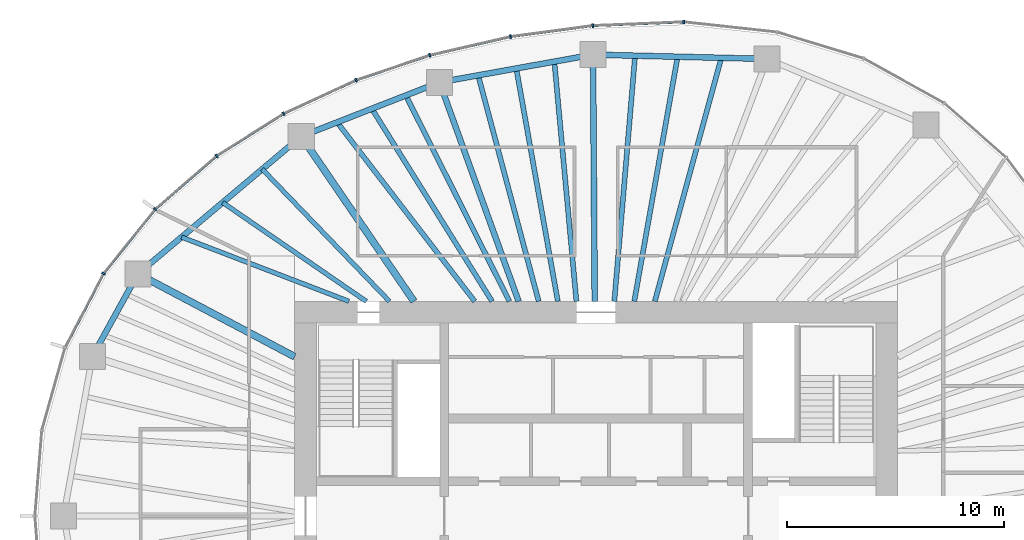
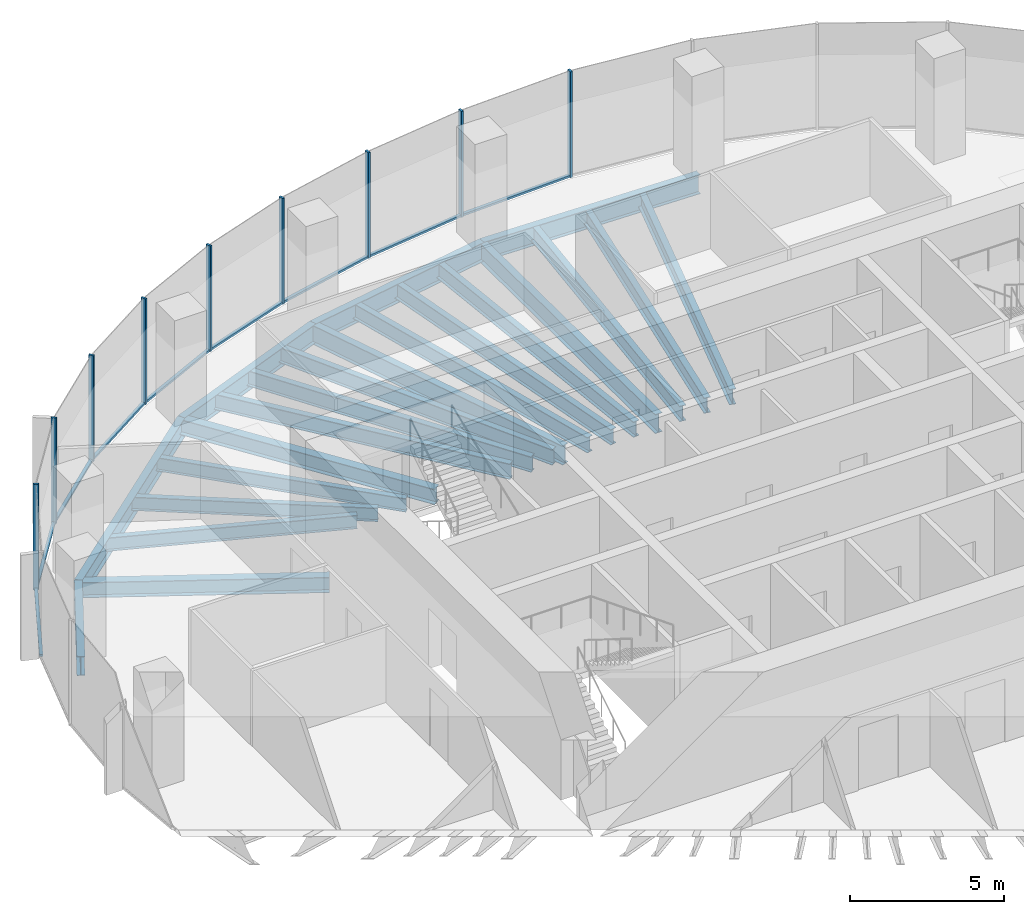
# One storey, part 5 of 11: 21 beams, 18 members, 5 elements without a shape of their own.
"""IFC4 building model written with IfcOpenShell, lengths in metres."""

from ifc_helpers import new_model, si_unit, direction, frame, origin, origin_2d, place, context, subcontext, project, spatial, rectangle, i_section, extrude, material, material_profile, profile_set, type_object, element, aggregate, save


model = new_model("IFC4")

# Units and contexts
model_context = context("Model", 3, precision=1e-05, world=origin(), true_north=direction((0.0, 1.0)))
body_context = subcontext(model_context, "Body", "Model", "MODEL_VIEW")
ifc_project = project(units=[si_unit("LENGTHUNIT", "METRE"), si_unit("AREAUNIT", "SQUARE_METRE"), si_unit("VOLUMEUNIT", "CUBIC_METRE"), si_unit("PLANEANGLEUNIT", "RADIAN"), si_unit("MASSUNIT", "GRAM", prefix="KILO")], contexts=[model_context])

# Site, building, storey
site_placement = place(None, origin())
site = spatial("IfcSite", under=ifc_project, at=site_placement, CompositionType="ELEMENT")
building_placement = place(site_placement, origin())
building = spatial("IfcBuilding", under=site, at=building_placement, Name="Ghaith Harvest Tower", CompositionType="ELEMENT")
storey_placement = place(building_placement, frame((0.0, 0.0, 275.39990234375)))
storey = spatial("IfcBuildingStorey", under=building, at=storey_placement, Name="L61", CompositionType="ELEMENT", Elevation=275.39990234375)

# Curtain wall, member
ifc_material_1 = material(Name="Black anodised aluminium and fritted glass", Category="aluminium")
curtain_wall_type = type_object("IfcCurtainWallType", Name="CW-T CURTAIN WALL", PredefinedType="NOTDEFINED", material=ifc_material_1)
curtain_wall_1_placement = place(storey_placement, origin())
curtain_wall_1 = element("IfcCurtainWall", 1, at=curtain_wall_1_placement, inside=storey, type_object=curtain_wall_type, Name="Curtain wall CW-T bay 05 L61", PredefinedType="NOTDEFINED")
ifc_material_2 = material(Name="Aluminium, black anodised", Category="aluminium")
ifc_material_profile_1 = material_profile(ifc_material_2, rectangle(XDim=0.080078125, YDim=0.179931640625, at=origin_2d()), Name="CW-T MULLION 80x180")
ifc_profile_set_1 = profile_set([ifc_material_profile_1], Name="Aluminium, black anodised")
member_type_1 = type_object("IfcMemberType", Name="CW-T MULLION 80x180", PredefinedType="MULLION", material=ifc_profile_set_1)
member_1_placement = place(storey_placement, frame((4.037841796875, 22.776611328125, 0.0), z_axis=(0.0, 0.0, 1.0), x_axis=(-0.999388631236, 0.034962319079, 0.0)))
member_1 = element("IfcMember", 2, at=member_1_placement, type_object=member_type_1, Name="CW-T mullion 2 bay 05 L61", PredefinedType="MULLION", context=body_context, shape_type="SweptSolid", body=[
    extrude(rectangle(XDim=0.080078125, YDim=0.179931640625, at=origin_2d()), origin(), (0.0, 0.0, 1.0), 4.2001953125),
])

# Curtain wall, members
curtain_wall_2_placement = place(storey_placement, origin())
curtain_wall_2 = element("IfcCurtainWall", 3, at=curtain_wall_2_placement, inside=storey, type_object=curtain_wall_type, Name="Curtain wall CW-T bay 06 L61", PredefinedType="NOTDEFINED")
member_2_placement = place(storey_placement, frame((-0.15478515625, 22.60595703125, 0.0), z_axis=(0.0, 0.0, 1.0), x_axis=(-0.996414855482, -0.084601629853, 0.0)))
member_2 = element("IfcMember", 4, at=member_2_placement, type_object=member_type_1, Name="CW-T mullion 1 bay 06 L61", PredefinedType="MULLION", context=body_context, shape_type="SweptSolid", body=[
    extrude(rectangle(XDim=0.080078125, YDim=0.179931640625, at=origin_2d()), origin(), (0.0, 0.0, 1.0), 4.2001953125),
])
member_3_placement = place(storey_placement, frame((-3.946533203125, 22.0986328125, 0.0), z_axis=(0.0, 0.0, 1.0), x_axis=(-0.983843447681, -0.179030920389, 0.0)))
member_3 = element("IfcMember", 5, at=member_3_placement, type_object=member_type_1, Name="CW-T mullion 2 bay 06 L61", PredefinedType="MULLION", context=body_context, shape_type="SweptSolid", body=[
    extrude(rectangle(XDim=0.080078125, YDim=0.179931640625, at=origin_2d()), origin(), (0.0, 0.0, 1.0), 4.2001953125),
])

curtain_wall_3_placement = place(storey_placement, origin())
curtain_wall_3 = element("IfcCurtainWall", 6, at=curtain_wall_3_placement, inside=storey, type_object=curtain_wall_type, Name="Curtain wall CW-T bay 07 L61", PredefinedType="NOTDEFINED")
member_4_placement = place(storey_placement, frame((-7.6708984375, 21.23828125, 0.0), z_axis=(0.0, 0.0, 1.0), x_axis=(-0.962552491436, -0.27109537294, 0.0)))
member_4 = element("IfcMember", 7, at=member_4_placement, type_object=member_type_1, Name="CW-T mullion 1 bay 07 L61", PredefinedType="MULLION", context=body_context, shape_type="SweptSolid", body=[
    extrude(rectangle(XDim=0.080078125, YDim=0.179931640625, at=origin_2d()), origin(), (0.0, 0.0, 1.0), 4.2001953125),
])
member_5_placement = place(storey_placement, frame((-11.0673828125, 20.093017578125, 0.0), z_axis=(0.0, 0.0, 1.0), x_axis=(-0.928624420706, -0.371021138573, 0.0)))
member_5 = element("IfcMember", 8, at=member_5_placement, type_object=member_type_1, Name="CW-T mullion 2 bay 07 L61", PredefinedType="MULLION", context=body_context, shape_type="SweptSolid", body=[
    extrude(rectangle(XDim=0.080078125, YDim=0.179931640625, at=origin_2d()), origin(), (0.0, 0.0, 1.0), 4.2001953125),
])

curtain_wall_4_placement = place(storey_placement, origin())
curtain_wall_4 = element("IfcCurtainWall", 9, at=curtain_wall_4_placement, inside=storey, type_object=curtain_wall_type, Name="Curtain wall CW-T bay 08 L61", PredefinedType="NOTDEFINED")
member_6_placement = place(storey_placement, frame((-14.40478515625, 18.5478515625, 0.0), z_axis=(0.0, 0.0, 1.0), x_axis=(-0.87867173244, -0.477426420101, 0.0)))
member_6 = element("IfcMember", 10, at=member_6_placement, type_object=member_type_1, Name="CW-T mullion 1 bay 08 L61", PredefinedType="MULLION", context=body_context, shape_type="SweptSolid", body=[
    extrude(rectangle(XDim=0.080078125, YDim=0.179931640625, at=origin_2d()), origin(), (0.0, 0.0, 1.0), 4.2001953125),
])
member_7_placement = place(storey_placement, frame((-17.49462890625, 16.600830078125, 0.0), z_axis=(0.0, 0.0, 1.0), x_axis=(-0.802189888678, -0.597068993084, 0.0)))
member_7 = element("IfcMember", 11, at=member_7_placement, type_object=member_type_1, Name="CW-T mullion 2 bay 08 L61", PredefinedType="MULLION", context=body_context, shape_type="SweptSolid", body=[
    extrude(rectangle(XDim=0.080078125, YDim=0.179931640625, at=origin_2d()), origin(), (0.0, 0.0, 1.0), 4.2001953125),
])

curtain_wall_5_placement = place(storey_placement, origin())
curtain_wall_5 = element("IfcCurtainWall", 12, at=curtain_wall_5_placement, inside=storey, type_object=curtain_wall_type, Name="Curtain wall CW-T bay 09 L61", PredefinedType="NOTDEFINED")
member_8_placement = place(storey_placement, frame((-20.324462890625, 14.141845703125, 0.0), z_axis=(0.0, 0.0, 1.0), x_axis=(-0.692826491995, -0.72110432809, 0.0)))
member_8 = element("IfcMember", 13, at=member_8_placement, type_object=member_type_1, Name="CW-T mullion 1 bay 09 L61", PredefinedType="MULLION", context=body_context, shape_type="SweptSolid", body=[
    extrude(rectangle(XDim=0.080078125, YDim=0.179931640625, at=origin_2d()), origin(), (0.0, 0.0, 1.0), 4.2001953125),
])
member_9_placement = place(storey_placement, frame((-22.706298828125, 11.176513671875, 0.0), z_axis=(0.0, 0.0, 1.0), x_axis=(-0.545865412621, -0.837872872997, 0.0)))
member_9 = element("IfcMember", 14, at=member_9_placement, type_object=member_type_1, Name="CW-T mullion 2 bay 09 L61", PredefinedType="MULLION", context=body_context, shape_type="SweptSolid", body=[
    extrude(rectangle(XDim=0.080078125, YDim=0.179931640625, at=origin_2d()), origin(), (0.0, 0.0, 1.0), 4.2001953125),
])

# Member
ifc_material_3 = material(Name="Aluminium, black anodised", Category="aluminium")
ifc_material_profile_2 = material_profile(ifc_material_3, rectangle(XDim=0.1201171875, YDim=0.080078125, at=origin_2d()), Name="CW-T TRANSOM 120x80")
ifc_profile_set_2 = profile_set([ifc_material_profile_2], Name="Aluminium, black anodised")
member_type_2 = type_object("IfcMemberType", Name="CW-T TRANSOM 120x80", PredefinedType="USERDEFINED", material=ifc_profile_set_2)
member_10_placement = place(storey_placement, frame((3.997802734375, 22.77490234375, 0.0400390625), z_axis=(-0.999174207562, -0.040631304968, 0.0), x_axis=(0.040631304968, -0.999174207562, 0.0)))
member_10 = element("IfcMember", 15, at=member_10_placement, type_object=member_type_2, Name="CW-T transom 2 bay 05 L61", ObjectType="TRANSOM", PredefinedType="USERDEFINED", context=body_context, shape_type="SweptSolid", body=[
    extrude(rectangle(XDim=0.1201171875, YDim=0.080078125, at=origin_2d()), origin(), (0.0, 0.0, 1.0), 4.115966796875),
])

aggregate(curtain_wall_1, [member_1, member_10])

member_11_placement = place(storey_placement, frame((-0.1943359375, 22.6005859375, 0.0400390625), z_axis=(-0.99117202259, -0.132582131655, 0.0), x_axis=(0.132582131655, -0.99117202259, 0.0)))
member_11 = element("IfcMember", 16, at=member_11_placement, type_object=member_type_2, Name="CW-T transom 1 bay 06 L61", ObjectType="TRANSOM", PredefinedType="USERDEFINED", context=body_context, shape_type="SweptSolid", body=[
    extrude(rectangle(XDim=0.1201171875, YDim=0.080078125, at=origin_2d()), origin(), (0.0, 0.0, 1.0), 3.745361328125),
])

member_12_placement = place(storey_placement, frame((-3.9853515625, 22.089599609375, 0.0400390625), z_axis=(-0.974344997799, -0.225059603803, 0.0), x_axis=(0.225059603803, -0.974344997799, 0.0)))
member_12 = element("IfcMember", 17, at=member_12_placement, type_object=member_type_2, Name="CW-T transom 2 bay 06 L61", ObjectType="TRANSOM", PredefinedType="USERDEFINED", context=body_context, shape_type="SweptSolid", body=[
    extrude(rectangle(XDim=0.1201171875, YDim=0.080078125, at=origin_2d()), origin(), (0.0, 0.0, 1.0), 3.742431640625),
])

aggregate(curtain_wall_2, [member_2, member_11, member_3, member_12])

member_13_placement = place(storey_placement, frame((-7.708740234375, 21.2255859375, 0.0400390625), z_axis=(-0.9475698206, -0.319548799228, 0.0), x_axis=(0.319548799228, -0.9475698206, 0.0)))
member_13 = element("IfcMember", 18, at=member_13_placement, type_object=member_type_2, Name="CW-T transom 1 bay 07 L61", ObjectType="TRANSOM", PredefinedType="USERDEFINED", context=body_context, shape_type="SweptSolid", body=[
    extrude(rectangle(XDim=0.1201171875, YDim=0.080078125, at=origin_2d()), origin(), (0.0, 0.0, 1.0), 3.504638671875),
])

member_14_placement = place(storey_placement, frame((-11.103759765625, 20.076171875, 0.0400390625), z_axis=(-0.907472177056, -0.420112184862, 0.0), x_axis=(0.420112184862, -0.907472177056, 0.0)))
member_14 = element("IfcMember", 19, at=member_14_placement, type_object=member_type_2, Name="CW-T transom 2 bay 07 L61", ObjectType="TRANSOM", PredefinedType="USERDEFINED", context=body_context, shape_type="SweptSolid", body=[
    extrude(rectangle(XDim=0.1201171875, YDim=0.080078125, at=origin_2d()), origin(), (0.0, 0.0, 1.0), 3.597900390625),
])

aggregate(curtain_wall_3, [member_4, member_13, member_5, member_14])

member_15_placement = place(storey_placement, frame((-14.438720703125, 18.5263671875, 0.0400390625), z_axis=(-0.846053602505, -0.533097835006, 0.0), x_axis=(0.533097835006, -0.846053602505, 0.0)))
member_15 = element("IfcMember", 20, at=member_15_placement, type_object=member_type_2, Name="CW-T transom 1 bay 08 L61", ObjectType="TRANSOM", PredefinedType="USERDEFINED", context=body_context, shape_type="SweptSolid", body=[
    extrude(rectangle(XDim=0.1201171875, YDim=0.080078125, at=origin_2d()), origin(), (0.0, 0.0, 1.0), 3.572021484375),
])

member_16_placement = place(storey_placement, frame((-17.52490234375, 16.574462890625, 0.0400390625), z_axis=(-0.754851889287, -0.65589528527, 0.0), x_axis=(0.65589528527, -0.754851889287, 0.0)))
member_16 = element("IfcMember", 21, at=member_16_placement, type_object=member_type_2, Name="CW-T transom 2 bay 08 L61", ObjectType="TRANSOM", PredefinedType="USERDEFINED", context=body_context, shape_type="SweptSolid", body=[
    extrude(rectangle(XDim=0.1201171875, YDim=0.080078125, at=origin_2d()), origin(), (0.0, 0.0, 1.0), 3.668701171875),
])

aggregate(curtain_wall_4, [member_6, member_15, member_7, member_16])

member_17_placement = place(storey_placement, frame((-20.349365234375, 14.110595703125, 0.0400390625), z_axis=(-0.626253073761, -0.779619835307, 0.0), x_axis=(0.779619835307, -0.626253073761, 0.0)))
member_17 = element("IfcMember", 22, at=member_17_placement, type_object=member_type_2, Name="CW-T transom 1 bay 09 L61", ObjectType="TRANSOM", PredefinedType="USERDEFINED", context=body_context, shape_type="SweptSolid", body=[
    extrude(rectangle(XDim=0.1201171875, YDim=0.080078125, at=origin_2d()), origin(), (0.0, 0.0, 1.0), 3.723388671875),
])

member_18_placement = place(storey_placement, frame((-22.724609375, 11.14111328125, 0.0400390625), z_axis=(-0.461242681347, -0.887274021317, 0.0), x_axis=(0.887274021317, -0.461242681347, 0.0)))
member_18 = element("IfcMember", 23, at=member_18_placement, type_object=member_type_2, Name="CW-T transom 2 bay 09 L61", ObjectType="TRANSOM", PredefinedType="USERDEFINED", context=body_context, shape_type="SweptSolid", body=[
    extrude(rectangle(XDim=0.1201171875, YDim=0.080078125, at=origin_2d()), origin(), (0.0, 0.0, 1.0), 3.77197265625),
])

aggregate(curtain_wall_5, [member_8, member_17, member_9, member_18])

# Beams
ifc_material_4 = material(Name="Steel ASTM A992 Grade 50", Category="steel")
ifc_material_profile_3 = material_profile(ifc_material_4, i_section(OverallWidth=0.26611328125, OverallDepth=0.758056640625, WebThickness=0.013916015625, FlangeThickness=0.019287109375, at=origin_2d()), Name="W760X161")
ifc_profile_set_3 = profile_set([ifc_material_profile_3], Name="Steel ASTM A992 Grade 50")
beam_type_1 = type_object("IfcBeamType", Name="E760-161 W760X161", PredefinedType="SPANDREL", material=ifc_profile_set_3)
beam_1_placement = place(storey_placement, frame((7.8779296875, 21.072021484375, -0.548828125), z_axis=(-0.999692679676, 0.024790042413, 0.0), x_axis=(-0.024790042413, -0.999692679676, 0.0)))
element("IfcBeam", 24, at=beam_1_placement, inside=storey, type_object=beam_type_1, Name="Edge beam E05 L61", PredefinedType="SPANDREL", context=body_context, shape_type="SweptSolid", body=[
    extrude(i_section(OverallWidth=0.26611328125, OverallDepth=0.758056640625, WebThickness=0.013916015625, FlangeThickness=0.019287109375, at=origin_2d()), origin(), (0.0, 0.0, 1.0), 8.0263671875),
])
beam_2_placement = place(storey_placement, frame((-0.14599609375, 21.27099609375, -0.548828125), z_axis=(-0.984177047684, -0.177187863051, 0.0), x_axis=(0.177187863051, -0.984177047684, 0.0)))
element("IfcBeam", 25, at=beam_2_placement, inside=storey, type_object=beam_type_1, Name="Edge beam E06 L61", PredefinedType="SPANDREL", context=body_context, shape_type="SweptSolid", body=[
    extrude(i_section(OverallWidth=0.26611328125, OverallDepth=0.758056640625, WebThickness=0.013916015625, FlangeThickness=0.019287109375, at=origin_2d()), origin(), (0.0, 0.0, 1.0), 7.189697265625),
])
beam_3_placement = place(storey_placement, frame((-7.221923828125, 19.9970703125, -0.548828125), z_axis=(-0.931322768207, -0.364194867371, 0.0), x_axis=(0.364194867371, -0.931322768207, 0.0)))
element("IfcBeam", 26, at=beam_3_placement, inside=storey, type_object=beam_type_1, Name="Edge beam E07 L61", PredefinedType="SPANDREL", context=body_context, shape_type="SweptSolid", body=[
    extrude(i_section(OverallWidth=0.26611328125, OverallDepth=0.758056640625, WebThickness=0.013916015625, FlangeThickness=0.019287109375, at=origin_2d()), origin(), (0.0, 0.0, 1.0), 6.843017578125),
])
beam_4_placement = place(storey_placement, frame((-13.594970703125, 17.5048828125, -0.548828125), z_axis=(-0.765021818761, -0.64400436087, 0.0), x_axis=(0.64400436087, -0.765021818761, 0.0)))
element("IfcBeam", 27, at=beam_4_placement, inside=storey, type_object=beam_type_1, Name="Edge beam E08 L61", PredefinedType="SPANDREL", context=body_context, shape_type="SweptSolid", body=[
    extrude(i_section(OverallWidth=0.26611328125, OverallDepth=0.758056640625, WebThickness=0.013916015625, FlangeThickness=0.019287109375, at=origin_2d()), origin(), (0.0, 0.0, 1.0), 9.8427734375),
])
beam_5_placement = place(storey_placement, frame((-21.125, 11.166015625, -0.548828125), z_axis=(-0.482955575345, -0.875644855089, 0.0), x_axis=(0.875644855089, -0.482955575345, 0.0)))
element("IfcBeam", 28, at=beam_5_placement, inside=storey, type_object=beam_type_1, Name="Edge beam E09 L61", PredefinedType="SPANDREL", context=body_context, shape_type="SweptSolid", body=[
    extrude(i_section(OverallWidth=0.26611328125, OverallDepth=0.758056640625, WebThickness=0.013916015625, FlangeThickness=0.019287109375, at=origin_2d()), origin(), (0.0, 0.0, 1.0), 4.346435546875),
])
ifc_material_5 = material(Name="Steel ASTM A992 Grade 50", Category="steel")
ifc_material_profile_4 = material_profile(ifc_material_5, i_section(OverallWidth=0.323974609375, OverallDepth=0.611083984375, WebThickness=0.0126953125, FlangeThickness=0.01904296875, at=origin_2d()), Name="W610X155")
ifc_profile_set_4 = profile_set([ifc_material_profile_4], Name="Steel ASTM A992 Grade 50")
beam_type_2 = type_object("IfcBeamType", Name="G610-155 W610X155", PredefinedType="BEAM", material=ifc_profile_set_4)
beam_6_placement = place(storey_placement, frame((-8.39990234375, 9.89990234375, -0.475341796875), z_axis=(-0.564067018201, 0.825729010619, 0.0), x_axis=(-0.825729010619, -0.564067018201, 0.0)))
element("IfcBeam", 29, at=beam_6_placement, inside=storey, type_object=beam_type_2, Name="Radial girder G08 L61", PredefinedType="BEAM", context=body_context, shape_type="SweptSolid", body=[
    extrude(i_section(OverallWidth=0.323974609375, OverallDepth=0.611083984375, WebThickness=0.0126953125, FlangeThickness=0.01904296875, at=origin_2d()), origin(), (0.0, 0.0, 1.0), 9.2099609375),
])
beam_7_placement = place(storey_placement, frame((-13.89990234375, 7.34716796875, -0.475341796875), z_axis=(-0.88410164037, 0.467294649546, 0.0), x_axis=(-0.467294649546, -0.88410164037, 0.0)))
element("IfcBeam", 30, at=beam_7_placement, inside=storey, type_object=beam_type_2, Name="Radial girder G09 L61", PredefinedType="BEAM", context=body_context, shape_type="SweptSolid", body=[
    extrude(i_section(OverallWidth=0.323974609375, OverallDepth=0.611083984375, WebThickness=0.0126953125, FlangeThickness=0.01904296875, at=origin_2d()), origin(), (0.0, 0.0, 1.0), 8.17236328125),
])
ifc_material_6 = material(Name="Steel ASTM A992 Grade 50", Category="steel")
ifc_material_profile_5 = material_profile(ifc_material_6, i_section(OverallWidth=0.26611328125, OverallDepth=0.758056640625, WebThickness=0.013916015625, FlangeThickness=0.019287109375, at=origin_2d()), Name="W760X161")
ifc_profile_set_5 = profile_set([ifc_material_profile_5], Name="Steel ASTM A992 Grade 50")
beam_type_3 = type_object("IfcBeamType", Name="G760-161 W760X161", PredefinedType="BEAM", material=ifc_profile_set_5)
beam_8_placement = place(storey_placement, frame((-0.06787109375, 9.89990234375, -0.548828125), z_axis=(-0.00687032909, 0.999976399011, 0.0), x_axis=(-0.999976399011, -0.00687032909, 0.0)))
element("IfcBeam", 31, at=beam_8_placement, inside=storey, type_object=beam_type_3, Name="Radial girder G06 L61", PredefinedType="BEAM", context=body_context, shape_type="SweptSolid", body=[
    extrude(i_section(OverallWidth=0.26611328125, OverallDepth=0.758056640625, WebThickness=0.013916015625, FlangeThickness=0.019287109375, at=origin_2d()), origin(), (0.0, 0.0, 1.0), 11.371337890625),
])
beam_9_placement = place(storey_placement, frame((-3.57568359375, 9.89990234375, -0.548828125), z_axis=(-0.339647816823, 0.940552688863, 0.0), x_axis=(-0.940552688863, -0.339647816823, 0.0)))
element("IfcBeam", 32, at=beam_9_placement, inside=storey, type_object=beam_type_3, Name="Radial girder G07 L61", PredefinedType="BEAM", context=body_context, shape_type="SweptSolid", body=[
    extrude(i_section(OverallWidth=0.26611328125, OverallDepth=0.758056640625, WebThickness=0.013916015625, FlangeThickness=0.019287109375, at=origin_2d()), origin(), (0.0, 0.0, 1.0), 10.7353515625),
])
ifc_material_7 = material(Name="Steel ASTM A992 Grade 50", Category="steel")
ifc_material_profile_6 = material_profile(ifc_material_7, i_section(OverallWidth=0.2109375, OverallDepth=0.5390625, WebThickness=0.01171875, FlangeThickness=0.018798828125, at=origin_2d()), Name="W530X109")
ifc_profile_set_6 = profile_set([ifc_material_profile_6], Name="Steel ASTM A992 Grade 50")
beam_type_4 = type_object("IfcBeamType", Name="J530-109 W530X109", PredefinedType="JOIST", material=ifc_profile_set_6)
beam_10_placement = place(storey_placement, frame((-9.530517578125, 9.89990234375, -0.439453125), z_axis=(-0.693536238632, 0.720421741554, 0.0), x_axis=(-0.720421741554, -0.693536238632, 0.0)))
element("IfcBeam", 33, at=beam_10_placement, inside=storey, type_object=beam_type_4, Name="Joist J08.1 L61", PredefinedType="JOIST", context=body_context, shape_type="SweptSolid", body=[
    extrude(i_section(OverallWidth=0.2109375, OverallDepth=0.5390625, WebThickness=0.01171875, FlangeThickness=0.018798828125, at=origin_2d()), origin(), (0.0, 0.0, 1.0), 8.4541015625),
])
beam_11_placement = place(storey_placement, frame((-10.60009765625, 9.89990234375, -0.439453125), z_axis=(-0.823778502511, 0.566911791023, 0.0), x_axis=(-0.566911791023, -0.823778502511, 0.0)))
element("IfcBeam", 34, at=beam_11_placement, inside=storey, type_object=beam_type_4, Name="Joist J08.2 L61", PredefinedType="JOIST", context=body_context, shape_type="SweptSolid", body=[
    extrude(i_section(OverallWidth=0.2109375, OverallDepth=0.5390625, WebThickness=0.01171875, FlangeThickness=0.018798828125, at=origin_2d()), origin(), (0.0, 0.0, 1.0), 8.0341796875),
])
beam_12_placement = place(storey_placement, frame((-11.39990234375, 9.89990234375, -0.439453125), z_axis=(-0.933583045329, 0.358361127181, 0.0), x_axis=(-0.358361127181, -0.933583045329, 0.0)))
element("IfcBeam", 35, at=beam_12_placement, inside=storey, type_object=beam_type_4, Name="Joist J08.3 L61", PredefinedType="JOIST", context=body_context, shape_type="SweptSolid", body=[
    extrude(i_section(OverallWidth=0.2109375, OverallDepth=0.5390625, WebThickness=0.01171875, FlangeThickness=0.018798828125, at=origin_2d()), origin(), (0.0, 0.0, 1.0), 8.260986328125),
])
ifc_material_8 = material(Name="Steel ASTM A992 Grade 50", Category="steel")
ifc_material_profile_7 = material_profile(ifc_material_8, i_section(OverallWidth=0.22998046875, OverallDepth=0.616943359375, WebThickness=0.01318359375, FlangeThickness=0.022216796875, at=origin_2d()), Name="W610X140")
ifc_profile_set_7 = profile_set([ifc_material_profile_7], Name="Steel ASTM A992 Grade 50")
beam_type_5 = type_object("IfcBeamType", Name="J610-140 W610X140", PredefinedType="JOIST", material=ifc_profile_set_7)
beam_13_placement = place(storey_placement, frame((2.70361328125, 9.89990234375, -0.478515625), z_axis=(0.263456499314, 0.964671277156, 0.0), x_axis=(-0.964671277156, 0.263456499314, 0.0)))
element("IfcBeam", 36, at=beam_13_placement, inside=storey, type_object=beam_type_5, Name="Joist J05.1 L61", PredefinedType="JOIST", context=body_context, shape_type="SweptSolid", body=[
    extrude(i_section(OverallWidth=0.22998046875, OverallDepth=0.616943359375, WebThickness=0.01318359375, FlangeThickness=0.022216796875, at=origin_2d()), origin(), (0.0, 0.0, 1.0), 11.635498046875),
])
beam_14_placement = place(storey_placement, frame((1.7548828125, 9.89990234375, -0.478515625), z_axis=(0.174562528022, 0.984646090639, 0.0), x_axis=(-0.984646090639, 0.174562528022, 0.0)))
element("IfcBeam", 37, at=beam_14_placement, inside=storey, type_object=beam_type_5, Name="Joist J05.2 L61", PredefinedType="JOIST", context=body_context, shape_type="SweptSolid", body=[
    extrude(i_section(OverallWidth=0.22998046875, OverallDepth=0.616943359375, WebThickness=0.01318359375, FlangeThickness=0.022216796875, at=origin_2d()), origin(), (0.0, 0.0, 1.0), 11.4501953125),
])
beam_15_placement = place(storey_placement, frame((0.836669921875, 9.89990234375, -0.478515625), z_axis=(0.084199386432, 0.996448926601, 0.0), x_axis=(-0.996448926601, 0.084199386432, 0.0)))
element("IfcBeam", 38, at=beam_15_placement, inside=storey, type_object=beam_type_5, Name="Joist J05.3 L61", PredefinedType="JOIST", context=body_context, shape_type="SweptSolid", body=[
    extrude(i_section(OverallWidth=0.22998046875, OverallDepth=0.616943359375, WebThickness=0.01318359375, FlangeThickness=0.022216796875, at=origin_2d()), origin(), (0.0, 0.0, 1.0), 11.36328125),
])
beam_16_placement = place(storey_placement, frame((-0.9111328125, 9.89990234375, -0.478515625), z_axis=(-0.091654473201, 0.995790870385, 0.0), x_axis=(-0.995790870385, -0.091654473201, 0.0)))
element("IfcBeam", 39, at=beam_16_placement, inside=storey, type_object=beam_type_5, Name="Joist J06.1 L61", PredefinedType="JOIST", context=body_context, shape_type="SweptSolid", body=[
    extrude(i_section(OverallWidth=0.22998046875, OverallDepth=0.616943359375, WebThickness=0.01318359375, FlangeThickness=0.022216796875, at=origin_2d()), origin(), (0.0, 0.0, 1.0), 11.096923828125),
])
beam_17_placement = place(storey_placement, frame((-1.76806640625, 9.89990234375, -0.478515625), z_axis=(-0.175789088574, 0.984427852277, 0.0), x_axis=(-0.984427852277, -0.175789088574, 0.0)))
element("IfcBeam", 40, at=beam_17_placement, inside=storey, type_object=beam_type_5, Name="Joist J06.2 L61", PredefinedType="JOIST", context=body_context, shape_type="SweptSolid", body=[
    extrude(i_section(OverallWidth=0.22998046875, OverallDepth=0.616943359375, WebThickness=0.01318359375, FlangeThickness=0.022216796875, at=origin_2d()), origin(), (0.0, 0.0, 1.0), 10.903564453125),
])
beam_18_placement = place(storey_placement, frame((-2.651123046875, 9.89990234375, -0.478515625), z_axis=(-0.258678376387, 0.96596350738, 0.0), x_axis=(-0.96596350738, -0.258678376387, 0.0)))
element("IfcBeam", 41, at=beam_18_placement, inside=storey, type_object=beam_type_5, Name="Joist J06.3 L61", PredefinedType="JOIST", context=body_context, shape_type="SweptSolid", body=[
    extrude(i_section(OverallWidth=0.22998046875, OverallDepth=0.616943359375, WebThickness=0.01318359375, FlangeThickness=0.022216796875, at=origin_2d()), origin(), (0.0, 0.0, 1.0), 10.784912109375),
])
beam_19_placement = place(storey_placement, frame((-4.0, 9.89990234375, -0.478515625), z_axis=(-0.449556131123, 0.893252083664, 0.0), x_axis=(-0.893252083664, -0.449556131123, 0.0)))
element("IfcBeam", 42, at=beam_19_placement, inside=storey, type_object=beam_type_5, Name="Joist J07.1 L61", PredefinedType="JOIST", context=body_context, shape_type="SweptSolid", body=[
    extrude(i_section(OverallWidth=0.22998046875, OverallDepth=0.616943359375, WebThickness=0.01318359375, FlangeThickness=0.022216796875, at=origin_2d()), origin(), (0.0, 0.0, 1.0), 10.62353515625),
])
beam_20_placement = place(storey_placement, frame((-4.800048828125, 9.89990234375, -0.478515625), z_axis=(-0.529596254905, 0.848249849273, 0.0), x_axis=(-0.848249849273, -0.529596254905, 0.0)))
element("IfcBeam", 43, at=beam_20_placement, inside=storey, type_object=beam_type_5, Name="Joist J07.2 L61", PredefinedType="JOIST", context=body_context, shape_type="SweptSolid", body=[
    extrude(i_section(OverallWidth=0.22998046875, OverallDepth=0.616943359375, WebThickness=0.01318359375, FlangeThickness=0.022216796875, at=origin_2d()), origin(), (0.0, 0.0, 1.0), 10.465087890625),
])
beam_21_placement = place(storey_placement, frame((-5.60009765625, 9.89990234375, -0.478515625), z_axis=(-0.609353577926, 0.792898617144, 0.0), x_axis=(-0.792898617144, -0.609353577926, 0.0)))
element("IfcBeam", 44, at=beam_21_placement, inside=storey, type_object=beam_type_5, Name="Joist J07.3 L61", PredefinedType="JOIST", context=body_context, shape_type="SweptSolid", body=[
    extrude(i_section(OverallWidth=0.22998046875, OverallDepth=0.616943359375, WebThickness=0.01318359375, FlangeThickness=0.022216796875, at=origin_2d()), origin(), (0.0, 0.0, 1.0), 10.406982421875),
])

save(model, "model.ifc")
